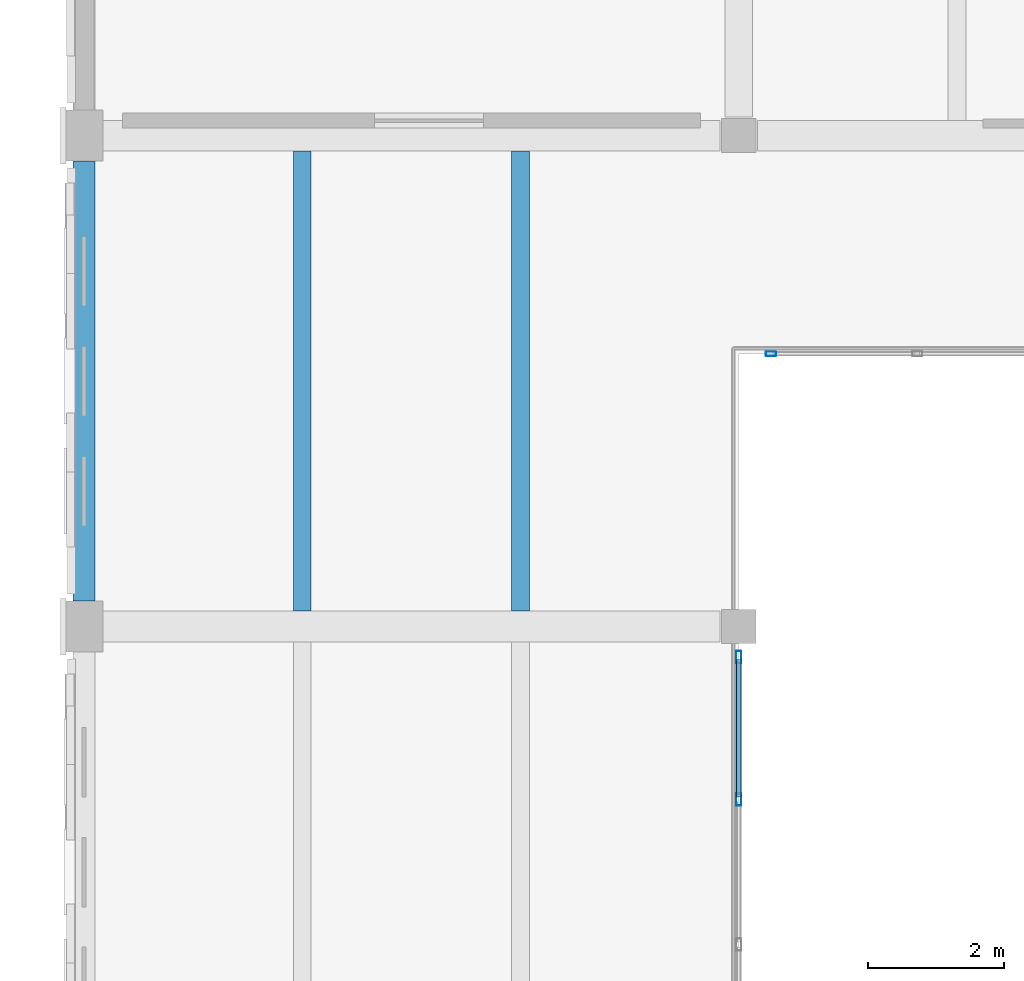
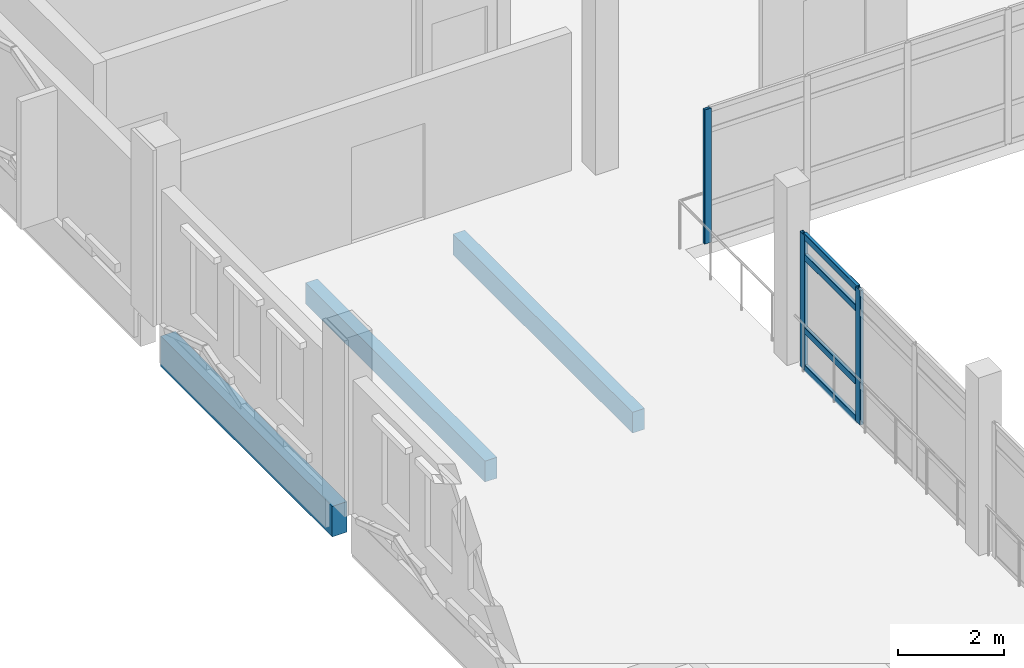
# One storey, part 7 of 24: 7 members, 3 beams, 2 elements without a shape of their own.
"""IFC4 building model written with IfcOpenShell, lengths in metres."""

from ifc_helpers import new_model, si_unit, direction, frame, origin, origin_2d, place, context, subcontext, project, spatial, rectangle, hollow_rectangle, extrude, material, layer, layer_set, material_profile, profile_set, type_object, element, aggregate, save


model = new_model("IFC4")

# Units and contexts
model_context = context("Model", 3, precision=1e-05, world=origin(), true_north=direction((0.0, 1.0)))
body_context = subcontext(model_context, "Body", "Model", "MODEL_VIEW")
ifc_project = project(units=[si_unit("LENGTHUNIT", "METRE"), si_unit("AREAUNIT", "SQUARE_METRE"), si_unit("VOLUMEUNIT", "CUBIC_METRE"), si_unit("PLANEANGLEUNIT", "RADIAN"), si_unit("MASSUNIT", "GRAM", prefix="KILO")], contexts=[model_context])

# Site, building, storey
site_placement = place(None, origin())
site = spatial("IfcSite", under=ifc_project, at=site_placement, CompositionType="ELEMENT")
building_placement = place(site_placement, origin())
building = spatial("IfcBuilding", under=site, at=building_placement, Name="Asteropetra Specialist Clinic", CompositionType="ELEMENT")
storey_placement = place(building_placement, frame((0.0, 0.0, 20.739990234375)))
storey = spatial("IfcBuildingStorey", under=building, at=storey_placement, Name="L05", CompositionType="ELEMENT", Elevation=20.739990234375)

# Curtain wall, member
ifc_material_1 = material(Name="Aluminium and low-E glass", Category="aluminium")
ifc_layer_1 = layer(ifc_material_1, 0.135009765625)
ifc_layer_set_1 = layer_set([ifc_layer_1], Name="Aluminium and low-E glass")
curtain_wall_type_1 = type_object("IfcCurtainWallType", Name="CW-SYS-03", PredefinedType="USERDEFINED", material=ifc_layer_set_1)
curtain_wall_1_placement = place(storey_placement, origin())
curtain_wall_1 = element("IfcCurtainWall", 1, at=curtain_wall_1_placement, inside=storey, type_object=curtain_wall_type_1, Name="Curtain Wall CW-058", ObjectType="UNITISED CURTAIN WALL", PredefinedType="USERDEFINED")
ifc_material_2 = material(Name="Aluminium 6063-T6", Category="aluminium")
ifc_material_profile_1 = material_profile(ifc_material_2, hollow_rectangle(XDim=0.06494140625, YDim=0.14990234375, WallThickness=0.00390625, InnerFilletRadius=0.00390625, OuterFilletRadius=0.008056640625, at=origin_2d()), Name="MUL 150x65x4.0")
ifc_profile_set_1 = profile_set([ifc_material_profile_1], Name="Aluminium 6063-T6")
member_type_1 = type_object("IfcMemberType", Name="CWM-150x65", PredefinedType="MULLION", material=ifc_profile_set_1)
member_1_placement = place(storey_placement, frame((10.072509765625, 95.199951171875, 0.0), z_axis=(0.0, 0.0, 1.0), x_axis=(0.0, -1.0, 0.0)))
member_1 = element("IfcMember", 2, at=member_1_placement, type_object=member_type_1, Name="CW-058 mullion 5", PredefinedType="MULLION", context=body_context, shape_type="SweptSolid", body=[
    extrude(hollow_rectangle(XDim=0.06494140625, YDim=0.14990234375, WallThickness=0.00390625, InnerFilletRadius=0.00390625, OuterFilletRadius=0.008056640625, at=origin_2d()), origin(), (0.0, 0.0, 1.0), 3.080078125),
])
aggregate(curtain_wall_1, [member_1])

# Curtain wall, members
ifc_material_3 = material(Name="Aluminium and low-E glass", Category="aluminium")
ifc_layer_2 = layer(ifc_material_3, 0.14990234375)
ifc_layer_set_2 = layer_set([ifc_layer_2], Name="Aluminium and low-E glass")
curtain_wall_type_2 = type_object("IfcCurtainWallType", Name="CW-SYS-05", PredefinedType="USERDEFINED", material=ifc_layer_set_2)
curtain_wall_2_placement = place(storey_placement, origin())
curtain_wall_2 = element("IfcCurtainWall", 3, at=curtain_wall_2_placement, inside=storey, type_object=curtain_wall_type_2, Name="Curtain Wall CW-063", ObjectType="UNITISED CURTAIN WALL", PredefinedType="USERDEFINED")
ifc_material_4 = material(Name="Aluminium 6063-T6", Category="aluminium")
ifc_material_profile_2 = material_profile(ifc_material_4, hollow_rectangle(XDim=0.074951171875, YDim=0.179931640625, WallThickness=0.00390625, InnerFilletRadius=0.00390625, OuterFilletRadius=0.008056640625, at=origin_2d()), Name="MUL 180x75x4.0")
ifc_profile_set_2 = profile_set([ifc_material_profile_2], Name="Aluminium 6063-T6")
member_type_2 = type_object("IfcMemberType", Name="CWM-180x75", PredefinedType="MULLION", material=ifc_profile_set_2)
member_2_placement = place(storey_placement, frame((9.60009765625, 90.75244140625, 0.0), z_axis=(0.0, 0.0, 1.0), x_axis=(1.0, 0.0, 0.0)))
member_2 = element("IfcMember", 4, at=member_2_placement, type_object=member_type_2, Name="CW-063 mullion 1", PredefinedType="MULLION", context=body_context, shape_type="SweptSolid", body=[
    extrude(hollow_rectangle(XDim=0.074951171875, YDim=0.179931640625, WallThickness=0.00390625, InnerFilletRadius=0.00390625, OuterFilletRadius=0.008056640625, at=origin_2d()), origin(), (0.0, 0.0, 1.0), 3.080078125),
])
member_3_placement = place(storey_placement, frame((9.60009765625, 88.663330078125, 0.0), z_axis=(0.0, 0.0, 1.0), x_axis=(1.0, 0.0, 0.0)))
member_3 = element("IfcMember", 5, at=member_3_placement, type_object=member_type_2, Name="CW-063 mullion 2", PredefinedType="MULLION", context=body_context, shape_type="SweptSolid", body=[
    extrude(hollow_rectangle(XDim=0.074951171875, YDim=0.179931640625, WallThickness=0.00390625, InnerFilletRadius=0.00390625, OuterFilletRadius=0.008056640625, at=origin_2d()), origin(), (0.0, 0.0, 1.0), 3.080078125),
])
ifc_material_5 = material(Name="Aluminium 6063-T6", Category="aluminium")
ifc_material_profile_3 = material_profile(ifc_material_5, hollow_rectangle(XDim=0.074951171875, YDim=0.14990234375, WallThickness=0.00390625, InnerFilletRadius=0.00390625, OuterFilletRadius=0.008056640625, at=origin_2d()), Name="TRN 150x75x4.0")
ifc_profile_set_3 = profile_set([ifc_material_profile_3], Name="Aluminium 6063-T6")
member_type_3 = type_object("IfcMemberType", Name="CWT-150x75", PredefinedType="USERDEFINED", material=ifc_profile_set_3)
member_4_placement = place(storey_placement, frame((9.60009765625, 90.715087890625, 0.03759765625), z_axis=(0.0, -1.0, 0.0), x_axis=(1.0, 0.0, 0.0)))
member_4 = element("IfcMember", 6, at=member_4_placement, type_object=member_type_3, Name="CW-063 transom 1.1", ObjectType="TRANSOM", PredefinedType="USERDEFINED", context=body_context, shape_type="SweptSolid", body=[
    extrude(hollow_rectangle(XDim=0.074951171875, YDim=0.14990234375, WallThickness=0.00390625, InnerFilletRadius=0.00390625, OuterFilletRadius=0.008056640625, at=origin_2d()), origin(), (0.0, 0.0, 1.0), 2.01416015625),
])
member_5_placement = place(storey_placement, frame((9.60009765625, 90.715087890625, 0.89990234375), z_axis=(0.0, -1.0, 0.0), x_axis=(1.0, 0.0, 0.0)))
member_5 = element("IfcMember", 7, at=member_5_placement, type_object=member_type_3, Name="CW-063 transom 1.2", ObjectType="TRANSOM", PredefinedType="USERDEFINED", context=body_context, shape_type="SweptSolid", body=[
    extrude(hollow_rectangle(XDim=0.074951171875, YDim=0.14990234375, WallThickness=0.00390625, InnerFilletRadius=0.00390625, OuterFilletRadius=0.008056640625, at=origin_2d()), origin(), (0.0, 0.0, 1.0), 2.01416015625),
])
member_6_placement = place(storey_placement, frame((9.60009765625, 90.715087890625, 2.580078125), z_axis=(0.0, -1.0, 0.0), x_axis=(1.0, 0.0, 0.0)))
member_6 = element("IfcMember", 8, at=member_6_placement, type_object=member_type_3, Name="CW-063 transom 1.3", ObjectType="TRANSOM", PredefinedType="USERDEFINED", context=body_context, shape_type="SweptSolid", body=[
    extrude(hollow_rectangle(XDim=0.074951171875, YDim=0.14990234375, WallThickness=0.00390625, InnerFilletRadius=0.00390625, OuterFilletRadius=0.008056640625, at=origin_2d()), origin(), (0.0, 0.0, 1.0), 2.01416015625),
])
member_7_placement = place(storey_placement, frame((9.60009765625, 90.715087890625, 3.04248046875), z_axis=(0.0, -1.0, 0.0), x_axis=(1.0, 0.0, 0.0)))
member_7 = element("IfcMember", 9, at=member_7_placement, type_object=member_type_3, Name="CW-063 transom 1.4", ObjectType="TRANSOM", PredefinedType="USERDEFINED", context=body_context, shape_type="SweptSolid", body=[
    extrude(hollow_rectangle(XDim=0.074951171875, YDim=0.14990234375, WallThickness=0.00390625, InnerFilletRadius=0.00390625, OuterFilletRadius=0.008056640625, at=origin_2d()), origin(), (0.0, 0.0, 1.0), 2.01416015625),
])
aggregate(curtain_wall_2, [member_2, member_3, member_4, member_5, member_6, member_7])

# Beams
ifc_material_6 = material(Name="Concrete C35/45", Category="concrete")
ifc_material_profile_4 = material_profile(ifc_material_6, rectangle(XDim=0.260009765625, YDim=0.47998046875, at=origin_2d()), Name="RCJ 260x480")
ifc_profile_set_4 = profile_set([ifc_material_profile_4], Name="Concrete C35/45")
beam_type_1 = type_object("IfcBeamType", Name="JST-RC260x480", PredefinedType="JOIST", material=ifc_profile_set_4)
for number, where, z_axis, x_axis, name in (
    (10, (3.199951171875, 91.425048828125, -0.52001953125), (0.0, 1.0, 0.0), (-1.0, 0.0, 0.0), "Joist JJST02-2015"),
    (11, (6.39990234375, 91.425048828125, -0.52001953125), (0.0, 1.0, 0.0), (-1.0, 0.0, 0.0), "Joist JJST02-2016"),
):
    element("IfcBeam", number, at=place(storey_placement, frame(where, z_axis=z_axis, x_axis=x_axis)), inside=storey, type_object=beam_type_1, Name=name, PredefinedType="JOIST", context=body_context, shape_type="SweptSolid", body=[
        extrude(rectangle(XDim=0.260009765625, YDim=0.47998046875, at=origin_2d()), origin(), (0.0, 0.0, 1.0), 6.75),
    ])
ifc_material_7 = material(Name="Concrete C35/45", Category="concrete")
ifc_material_profile_5 = material_profile(ifc_material_7, rectangle(XDim=0.320068359375, YDim=0.699951171875, at=origin_2d()), Name="RCS 320x700")
ifc_profile_set_5 = profile_set([ifc_material_profile_5], Name="Concrete C35/45")
beam_type_2 = type_object("IfcBeamType", Name="SPN-RC320x700", PredefinedType="SPANDREL", material=ifc_profile_set_5)
beam_placement = place(storey_placement, frame((0.0, 91.574951171875, -0.6298828125), z_axis=(0.0, 1.0, 0.0), x_axis=(-1.0, 0.0, 0.0)))
element("IfcBeam", 12, at=beam_placement, inside=storey, type_object=beam_type_2, Name="Beam BSPN02-2013", PredefinedType="SPANDREL", context=body_context, shape_type="SweptSolid", body=[
    extrude(rectangle(XDim=0.320068359375, YDim=0.699951171875, at=origin_2d()), origin(), (0.0, 0.0, 1.0), 6.449951171875),
])

save(model, "model.ifc")
